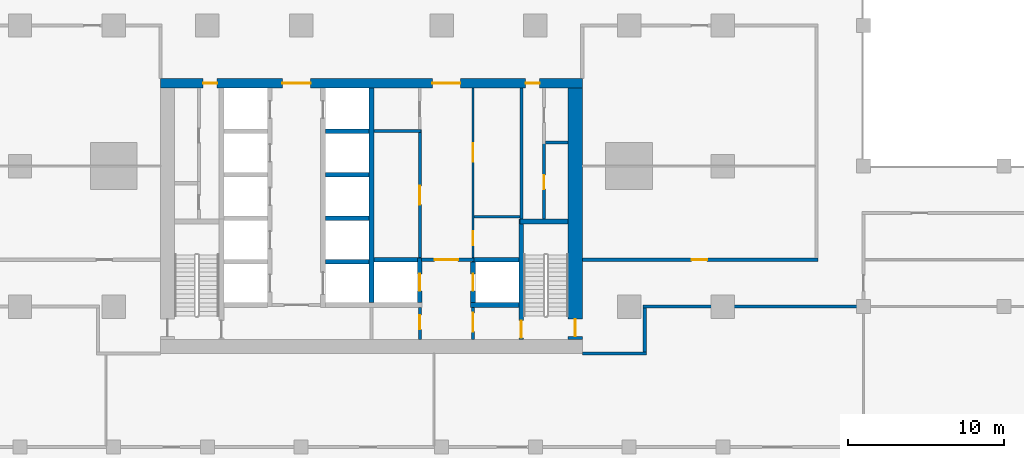
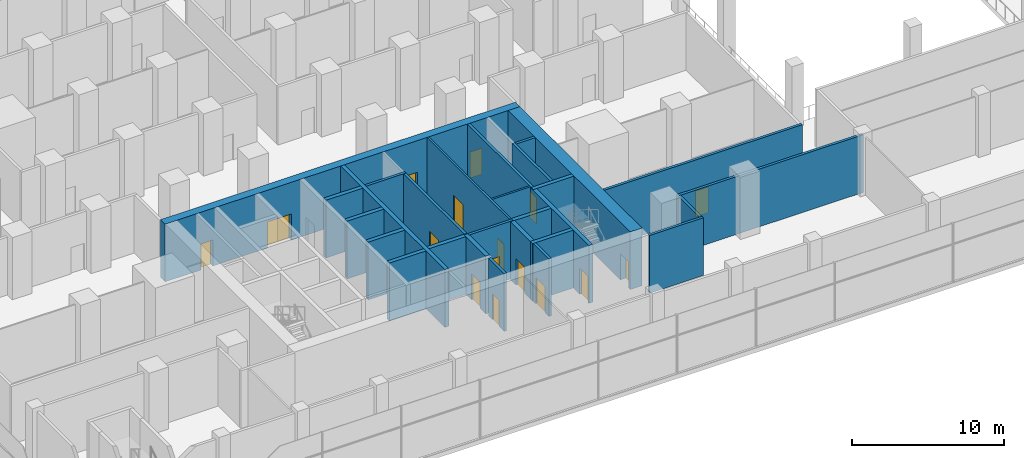
# One storey, part 14 of 22: 28 walls, 16 doors, 16 openings.
"""IFC4 building model written with IfcOpenShell, lengths in metres."""

from ifc_helpers import new_model, si_unit, direction, frame, frame_2d, origin, place, context, subcontext, project, spatial, rectangle, extrude, material, layer, layer_set, type_object, element, fill, save


model = new_model("IFC4")

# Units and contexts
model_context = context("Model", 3, precision=1e-05, world=origin(), true_north=direction((0.0, 1.0)))
body_context = subcontext(model_context, "Body", "Model", "MODEL_VIEW")
ifc_project = project(units=[si_unit("LENGTHUNIT", "METRE"), si_unit("AREAUNIT", "SQUARE_METRE"), si_unit("VOLUMEUNIT", "CUBIC_METRE"), si_unit("PLANEANGLEUNIT", "RADIAN"), si_unit("MASSUNIT", "GRAM", prefix="KILO")], contexts=[model_context])

# Site, building, storey
site_placement = place(None, origin())
site = spatial("IfcSite", under=ifc_project, at=site_placement, CompositionType="ELEMENT")
building_placement = place(site_placement, origin())
building = spatial("IfcBuilding", under=site, at=building_placement, Name="Finial Court Residences", CompositionType="ELEMENT")
storey_placement = place(building_placement, frame((0.0, 0.0, 18.5)))
storey = spatial("IfcBuildingStorey", under=building, at=storey_placement, Name="L03", CompositionType="ELEMENT", Elevation=18.5)

# Wall, openings, doors
ifc_material_1 = material(Name="Concrete C80/95", Category="concrete")
ifc_layer_1 = layer(ifc_material_1, 0.60009765625)
ifc_layer_set_1 = layer_set([ifc_layer_1], Name="Core outer wall 600 Concrete C80/95")
wall_type_1 = type_object("IfcWallType", Name="Core outer wall 600 Concrete C80/95", PredefinedType="SHEAR", material=ifc_layer_set_1)
wall_1_placement = place(storey_placement, frame((-13.5, -8.199951171875, 0.0), z_axis=(0.0, 0.0, 1.0), x_axis=(1.0, 0.0, 0.0)))
wall_1 = element("IfcWall", 1, at=wall_1_placement, inside=storey, type_object=wall_type_1, Name="Core outer wall L03-02", PredefinedType="SHEAR", context=body_context, shape_type="SweptSolid", body=[
    extrude(rectangle(XDim=27.0, YDim=0.60009765625, at=frame_2d((13.5, 0.0))), origin(), (0.0, 0.0, 1.0), 4.64990234375),
])
opening_1_placement = place(wall_1_placement, frame((7.800048828125, 0.0, 0.0)))
opening_1 = element("IfcOpeningElement", 2, at=opening_1_placement, cuts=wall_1, Name="Opening L03-C04", PredefinedType="OPENING", context=body_context, shape_type="SweptSolid", body=[
    extrude(rectangle(XDim=1.800048828125, YDim=2.10009765625, at=frame_2d((0.89990234375, 1.050048828125))), frame((0.0, 0.31005859375, 0.0), z_axis=(0.0, -1.0, 0.0), x_axis=(1.0, 0.0, 0.0)), (0.0, 0.0, 1.0), 0.6201171875),
])
opening_2_placement = place(wall_1_placement, frame((17.39990234375, 0.0, 0.0)))
opening_2 = element("IfcOpeningElement", 3, at=opening_2_placement, cuts=wall_1, Name="Opening L03-C05", PredefinedType="OPENING", context=body_context, shape_type="SweptSolid", body=[
    extrude(rectangle(XDim=1.800048828125, YDim=2.10009765625, at=frame_2d((0.89990234375, 1.050048828125))), frame((0.0, 0.31005859375, 0.0), z_axis=(0.0, -1.0, 0.0), x_axis=(1.0, 0.0, 0.0)), (0.0, 0.0, 1.0), 0.6201171875),
])
opening_3_placement = place(wall_1_placement, frame((2.72509765625, 0.0, 0.0)))
opening_3 = element("IfcOpeningElement", 4, at=opening_3_placement, cuts=wall_1, Name="Opening L03-C10", PredefinedType="OPENING", context=body_context, shape_type="SweptSolid", body=[
    extrude(rectangle(XDim=0.89990234375, YDim=2.10009765625, at=frame_2d((0.449951171875, 1.050048828125))), frame((0.0, 0.31005859375, 0.0), z_axis=(0.0, -1.0, 0.0), x_axis=(1.0, 0.0, 0.0)), (0.0, 0.0, 1.0), 0.6201171875),
])
opening_4_placement = place(wall_1_placement, frame((23.375, 0.0, 0.0)))
opening_4 = element("IfcOpeningElement", 5, at=opening_4_placement, cuts=wall_1, Name="Opening L03-C11", PredefinedType="OPENING", context=body_context, shape_type="SweptSolid", body=[
    extrude(rectangle(XDim=0.89990234375, YDim=2.10009765625, at=frame_2d((0.449951171875, 1.050048828125))), frame((0.0, 0.31005859375, 0.0), z_axis=(0.0, -1.0, 0.0), x_axis=(1.0, 0.0, 0.0)), (0.0, 0.0, 1.0), 0.6201171875),
])
ifc_material_2 = material(Name="Steel fire door", Category="steel")
door_type_1 = type_object("IfcDoorType", Name="Lift lobby door 1800 x 2100 EI 60", OperationType="DOUBLE_DOOR_SINGLE_SWING", PredefinedType="DOOR", material=ifc_material_2)
door_1_placement = place(opening_1_placement, origin())
door_1 = element("IfcDoor", 6, at=door_1_placement, inside=storey, type_object=door_type_1, Name="Lift lobby door L03-C04", OperationType="DOUBLE_DOOR_SINGLE_SWING", OverallHeight=2.10009765625, OverallWidth=1.800048828125, PredefinedType="DOOR", context=body_context, shape_type="SweptSolid", body=[
    extrude(rectangle(XDim=1.800048828125, YDim=2.10009765625, at=frame_2d((0.89990234375, 1.050048828125))), frame((0.0, 0.02490234375, 0.0), z_axis=(0.0, -1.0, 0.0), x_axis=(1.0, 0.0, 0.0)), (0.0, 0.0, 1.0), 0.050048828125),
])
fill(opening_1, door_1)
door_2_placement = place(opening_2_placement, origin())
door_2 = element("IfcDoor", 7, at=door_2_placement, inside=storey, type_object=door_type_1, Name="Lift lobby door L03-C05", OperationType="DOUBLE_DOOR_SINGLE_SWING", OverallHeight=2.10009765625, OverallWidth=1.800048828125, PredefinedType="DOOR", context=body_context, shape_type="SweptSolid", body=[
    extrude(rectangle(XDim=1.800048828125, YDim=2.10009765625, at=frame_2d((0.89990234375, 1.050048828125))), frame((0.0, 0.02490234375, 0.0), z_axis=(0.0, -1.0, 0.0), x_axis=(1.0, 0.0, 0.0)), (0.0, 0.0, 1.0), 0.050048828125),
])
fill(opening_2, door_2)
door_type_2 = type_object("IfcDoorType", Name="Riser room door 900 x 2100 EI 90", OperationType="NOTDEFINED", PredefinedType="DOOR", material=ifc_material_2)
door_3_placement = place(opening_3_placement, origin())
door_3 = element("IfcDoor", 8, at=door_3_placement, inside=storey, type_object=door_type_2, Name="Riser room door L03-C10", OperationType="SINGLE_SWING_RIGHT", OverallHeight=2.10009765625, OverallWidth=0.89990234375, PredefinedType="DOOR", context=body_context, shape_type="SweptSolid", body=[
    extrude(rectangle(XDim=0.89990234375, YDim=2.10009765625, at=frame_2d((0.449951171875, 1.050048828125))), frame((0.0, 0.02490234375, 0.0), z_axis=(0.0, -1.0, 0.0), x_axis=(1.0, 0.0, 0.0)), (0.0, 0.0, 1.0), 0.050048828125),
])
fill(opening_3, door_3)
door_4_placement = place(opening_4_placement, origin())
door_4 = element("IfcDoor", 9, at=door_4_placement, inside=storey, type_object=door_type_2, Name="Riser room door L03-C11", OperationType="SINGLE_SWING_LEFT", OverallHeight=2.10009765625, OverallWidth=0.89990234375, PredefinedType="DOOR", context=body_context, shape_type="SweptSolid", body=[
    extrude(rectangle(XDim=0.89990234375, YDim=2.10009765625, at=frame_2d((0.449951171875, 1.050048828125))), frame((0.0, 0.02490234375, 0.0), z_axis=(0.0, -1.0, 0.0), x_axis=(1.0, 0.0, 0.0)), (0.0, 0.0, 1.0), 0.050048828125),
])
fill(opening_4, door_4)

# Wall, opening, door
ifc_layer_2 = layer(ifc_material_1, 0.89990234375)
ifc_layer_set_2 = layer_set([ifc_layer_2], Name="Core outer wall 900 Concrete C80/95")
wall_type_2 = type_object("IfcWallType", Name="Core outer wall 900 Concrete C80/95", PredefinedType="SHEAR", material=ifc_layer_set_2)
wall_2_placement = place(storey_placement, frame((13.050048828125, -24.60009765625, 0.0), z_axis=(0.0, 0.0, 1.0), x_axis=(0.0, 1.0, 0.0)))
wall_2 = element("IfcWall", 10, at=wall_2_placement, inside=storey, type_object=wall_type_2, Name="Core outer wall L03-04", PredefinedType="SHEAR", context=body_context, shape_type="SweptSolid", body=[
    extrude(rectangle(XDim=16.10009765625, YDim=0.89990234375, at=frame_2d((8.050048828125, 0.0))), origin(), (0.0, 0.0, 1.0), 4.64990234375),
])
opening_5_placement = place(wall_2_placement, frame((0.199951171875, 0.0, 0.0)))
opening_5 = element("IfcOpeningElement", 11, at=opening_5_placement, cuts=wall_2, Name="Opening L03-C20", PredefinedType="OPENING", context=body_context, shape_type="SweptSolid", body=[
    extrude(rectangle(XDim=1.10009765625, YDim=2.10009765625, at=frame_2d((0.550048828125, 1.050048828125))), frame((0.0, 0.4599609375, 0.0), z_axis=(0.0, -1.0, 0.0), x_axis=(1.0, 0.0, 0.0)), (0.0, 0.0, 1.0), 0.919921875),
])
door_type_3 = type_object("IfcDoorType", Name="Stair door 1100 x 2100 EI 90", OperationType="NOTDEFINED", PredefinedType="DOOR", material=ifc_material_2)
door_5_placement = place(opening_5_placement, origin())
door_5 = element("IfcDoor", 12, at=door_5_placement, inside=storey, type_object=door_type_3, Name="Stair door L03-C20", OperationType="SINGLE_SWING_LEFT", OverallHeight=2.10009765625, OverallWidth=1.10009765625, PredefinedType="DOOR", context=body_context, shape_type="SweptSolid", body=[
    extrude(rectangle(XDim=1.10009765625, YDim=2.10009765625, at=frame_2d((0.550048828125, 1.050048828125))), frame((0.0, 0.02490234375, 0.0), z_axis=(0.0, -1.0, 0.0), x_axis=(1.0, 0.0, 0.0)), (0.0, 0.0, 1.0), 0.050048828125),
])
fill(opening_5, door_5)

# Wall
ifc_material_3 = material(Name="Fire-rated gypsum board partition")
ifc_layer_3 = layer(ifc_material_3, 0.14990234375)
ifc_layer_set_3 = layer_set([ifc_layer_3], Name="Core room partition 150 EI 60")
wall_type_3 = type_object("IfcWallType", Name="Core room partition 150 EI 60", PredefinedType="PARTITIONING", material=ifc_layer_set_3)
wall_3_placement = place(storey_placement, frame((6.574951171875, -16.75, 0.0), z_axis=(0.0, 0.0, 1.0), x_axis=(1.0, 0.0, 0.0)))
element("IfcWall", 13, at=wall_3_placement, inside=storey, type_object=wall_type_3, Name="Core partition L03-14", PredefinedType="PARTITIONING", context=body_context, shape_type="SweptSolid", body=[
    extrude(rectangle(XDim=2.925048828125, YDim=0.14990234375, at=frame_2d((1.46240234375, 0.0))), origin(), (0.0, 0.0, 1.0), 4.64990234375),
])

# Wall, openings, doors
wall_4_placement = place(storey_placement, frame((6.5, -8.5, 0.0), z_axis=(0.0, 0.0, 1.0), x_axis=(0.0, -1.0, 0.0)))
wall_4 = element("IfcWall", 14, at=wall_4_placement, inside=storey, type_object=wall_type_3, Name="Core partition L03-36", PredefinedType="PARTITIONING", context=body_context, shape_type="SweptSolid", body=[
    extrude(rectangle(XDim=10.85009765625, YDim=0.14990234375, at=frame_2d((5.425048828125, 0.0))), origin(), (0.0, 0.0, 1.0), 4.64990234375),
])
opening_6_placement = place(wall_4_placement, frame((9.175048828125, 0.0, 0.0)))
opening_6 = element("IfcOpeningElement", 15, at=opening_6_placement, cuts=wall_4, Name="Opening L03-C15", PredefinedType="OPENING", context=body_context, shape_type="SweptSolid", body=[
    extrude(rectangle(XDim=0.89990234375, YDim=2.10009765625, at=frame_2d((0.449951171875, 1.050048828125))), frame((0.0, 0.0849609375, 0.0), z_axis=(0.0, -1.0, 0.0), x_axis=(1.0, 0.0, 0.0)), (0.0, 0.0, 1.0), 0.169921875),
])
opening_7_placement = place(wall_4_placement, frame((3.52490234375, 0.0, 0.0)))
opening_7 = element("IfcOpeningElement", 16, at=opening_7_placement, cuts=wall_4, Name="Opening L03-C16", PredefinedType="OPENING", context=body_context, shape_type="SweptSolid", body=[
    extrude(rectangle(XDim=1.199951171875, YDim=2.10009765625, at=frame_2d((0.60009765625, 1.050048828125))), frame((0.0, 0.0849609375, 0.0), z_axis=(0.0, -1.0, 0.0), x_axis=(1.0, 0.0, 0.0)), (0.0, 0.0, 1.0), 0.169921875),
])
door_type_4 = type_object("IfcDoorType", Name="Core room door 1200 x 2100 EI 60", OperationType="NOTDEFINED", PredefinedType="DOOR", material=ifc_material_2)
door_6_placement = place(opening_7_placement, origin())
door_6 = element("IfcDoor", 17, at=door_6_placement, inside=storey, type_object=door_type_4, Name="Core room door L03-C16", OperationType="SINGLE_SWING_RIGHT", OverallHeight=2.10009765625, OverallWidth=1.199951171875, PredefinedType="DOOR", context=body_context, shape_type="SweptSolid", body=[
    extrude(rectangle(XDim=1.199951171875, YDim=2.10009765625, at=frame_2d((0.60009765625, 1.050048828125))), frame((0.0, 0.02490234375, 0.0), z_axis=(0.0, -1.0, 0.0), x_axis=(1.0, 0.0, 0.0)), (0.0, 0.0, 1.0), 0.050048828125),
])
fill(opening_7, door_6)
door_type_5 = type_object("IfcDoorType", Name="Core room door 900 x 2100 EI 60", OperationType="NOTDEFINED", PredefinedType="DOOR", material=ifc_material_2)
door_7_placement = place(opening_6_placement, origin())
door_7 = element("IfcDoor", 18, at=door_7_placement, inside=storey, type_object=door_type_5, Name="Core room door L03-C15", OperationType="SINGLE_SWING_RIGHT", OverallHeight=2.10009765625, OverallWidth=0.89990234375, PredefinedType="DOOR", context=body_context, shape_type="SweptSolid", body=[
    extrude(rectangle(XDim=0.89990234375, YDim=2.10009765625, at=frame_2d((0.449951171875, 1.050048828125))), frame((0.0, 0.02490234375, 0.0), z_axis=(0.0, -1.0, 0.0), x_axis=(1.0, 0.0, 0.0)), (0.0, 0.0, 1.0), 0.050048828125),
])
fill(opening_6, door_7)

# Walls
ifc_material_4 = material(Name="Gypsum board")
ifc_layer_4 = layer(ifc_material_4, 0.02490234375)
ifc_material_5 = material(Name="Acoustic mineral wool in double frame")
ifc_layer_5 = layer(ifc_material_5, 0.14990234375)
ifc_layer_6 = layer(ifc_material_4, 0.02490234375)
ifc_layer_set_4 = layer_set([ifc_layer_4, ifc_layer_5, ifc_layer_6], Name="Corridor wall 200, 1 hour")
wall_type_4 = type_object("IfcWallType", Name="Corridor wall 200, 1 hour", PredefinedType="PARTITIONING", material=ifc_layer_set_4)
wall_5_placement = place(storey_placement, frame((13.5, -25.5, 0.0), z_axis=(0.0, 0.0, 1.0), x_axis=(1.0, 0.0, 0.0)))
element("IfcWall", 19, at=wall_5_placement, inside=storey, type_object=wall_type_4, Name="Partition L03-004", PredefinedType="PARTITIONING", context=body_context, shape_type="SweptSolid", body=[
    extrude(rectangle(XDim=4.10009765625, YDim=0.199951171875, at=frame_2d((2.050048828125, 0.0))), origin(), (0.0, 0.0, 1.0), 4.64990234375),
])
wall_6_placement = place(storey_placement, frame((17.39990234375, -22.5, 0.0), z_axis=(0.0, 0.0, 1.0), x_axis=(1.0, 0.0, 0.0)))
element("IfcWall", 20, at=wall_6_placement, inside=storey, type_object=wall_type_4, Name="Partition L03-006", PredefinedType="PARTITIONING", context=body_context, shape_type="SweptSolid", body=[
    extrude(rectangle(XDim=14.10009765625, YDim=0.199951171875, at=frame_2d((7.050048828125, 0.0))), origin(), (0.0, 0.0, 1.0), 4.64990234375),
])

# Wall, opening, door
wall_7_placement = place(storey_placement, frame((13.5, -19.5, 0.0), z_axis=(0.0, 0.0, 1.0), x_axis=(1.0, 0.0, 0.0)))
wall_7 = element("IfcWall", 21, at=wall_7_placement, inside=storey, type_object=wall_type_4, Name="Partition L03-009", PredefinedType="PARTITIONING", context=body_context, shape_type="SweptSolid", body=[
    extrude(rectangle(XDim=15.10009765625, YDim=0.199951171875, at=frame_2d((7.550048828125, 0.0))), origin(), (0.0, 0.0, 1.0), 4.64990234375),
])
opening_8_placement = place(wall_7_placement, frame((7.0, 0.0, 0.0)))
opening_8 = element("IfcOpeningElement", 22, at=opening_8_placement, cuts=wall_7, Name="Opening L03-D010", PredefinedType="OPENING", context=body_context, shape_type="SweptSolid", body=[
    extrude(rectangle(XDim=1.0, YDim=2.10009765625, at=frame_2d((0.5, 1.050048828125))), frame((0.0, 0.10986328125, 0.0), z_axis=(0.0, -1.0, 0.0), x_axis=(1.0, 0.0, 0.0)), (0.0, 0.0, 1.0), 0.219970703125),
])
ifc_material_6 = material(Name="Timber door leaf in hollow metal frame", Category="wood")
door_type_6 = type_object("IfcDoorType", Name="Fire door set 1000 x 2100, 30 minutes", OperationType="SINGLE_SWING_LEFT", PredefinedType="DOOR", material=ifc_material_6)
door_8_placement = place(opening_8_placement, origin())
door_8 = element("IfcDoor", 23, at=door_8_placement, inside=storey, type_object=door_type_6, Name="Door L03-D010", OperationType="SINGLE_SWING_LEFT", OverallHeight=2.10009765625, OverallWidth=1.0, PredefinedType="DOOR", context=body_context, shape_type="SweptSolid", body=[
    extrude(rectangle(XDim=1.0, YDim=2.10009765625, at=frame_2d((0.5, 1.050048828125))), frame((0.0, 0.02490234375, 0.0), z_axis=(0.0, -1.0, 0.0), x_axis=(1.0, 0.0, 0.0)), (0.0, 0.0, 1.0), 0.050048828125),
])
fill(opening_8, door_8)

# Wall
wall_8_placement = place(storey_placement, frame((17.5, -25.39990234375, 0.0), z_axis=(0.0, 0.0, 1.0), x_axis=(0.0, 1.0, 0.0)))
element("IfcWall", 24, at=wall_8_placement, inside=storey, type_object=wall_type_4, Name="Partition L03-058", PredefinedType="PARTITIONING", context=body_context, shape_type="SweptSolid", body=[
    extrude(rectangle(XDim=2.7998046875, YDim=0.199951171875, at=frame_2d((1.39990234375, 0.0))), origin(), (0.0, 0.0, 1.0), 4.64990234375),
])

# Wall, opening, door
ifc_layer_7 = layer(ifc_material_3, 0.199951171875)
ifc_layer_set_5 = layer_set([ifc_layer_7], Name="Firefighting lobby wall 200 EI 120")
wall_type_5 = type_object("IfcWallType", Name="Firefighting lobby wall 200 EI 120", PredefinedType="PARTITIONING", material=ifc_layer_set_5)
wall_9_placement = place(storey_placement, frame((6.574951171875, -19.5, 0.0), z_axis=(0.0, 0.0, 1.0), x_axis=(-1.0, 0.0, 0.0)))
wall_9 = element("IfcWall", 25, at=wall_9_placement, inside=storey, type_object=wall_type_5, Name="Core partition L03-08", PredefinedType="PARTITIONING", context=body_context, shape_type="SweptSolid", body=[
    extrude(rectangle(XDim=3.375, YDim=0.199951171875, at=frame_2d((1.6875, 0.0))), origin(), (0.0, 0.0, 1.0), 4.64990234375),
])
opening_9_placement = place(wall_9_placement, frame((1.02490234375, 0.0, 0.0)))
opening_9 = element("IfcOpeningElement", 26, at=opening_9_placement, cuts=wall_9, Name="Opening L03-C02", PredefinedType="OPENING", context=body_context, shape_type="SweptSolid", body=[
    extrude(rectangle(XDim=1.5, YDim=2.10009765625, at=frame_2d((0.75, 1.050048828125))), frame((0.0, 0.10986328125, 0.0), z_axis=(0.0, -1.0, 0.0), x_axis=(1.0, 0.0, 0.0)), (0.0, 0.0, 1.0), 0.219970703125),
])
door_type_7 = type_object("IfcDoorType", Name="Firefighting lobby door 1500 x 2100 EI 90", OperationType="DOUBLE_DOOR_SINGLE_SWING", PredefinedType="DOOR", material=ifc_material_2)
door_9_placement = place(opening_9_placement, origin())
door_9 = element("IfcDoor", 27, at=door_9_placement, inside=storey, type_object=door_type_7, Name="Firefighting lobby door L03-C02", OperationType="DOUBLE_DOOR_SINGLE_SWING", OverallHeight=2.10009765625, OverallWidth=1.5, PredefinedType="DOOR", context=body_context, shape_type="SweptSolid", body=[
    extrude(rectangle(XDim=1.5, YDim=2.10009765625, at=frame_2d((0.75, 1.050048828125))), frame((0.0, 0.02490234375, 0.0), z_axis=(0.0, -1.0, 0.0), x_axis=(1.0, 0.0, 0.0)), (0.0, 0.0, 1.0), 0.050048828125),
])
fill(opening_9, door_9)

wall_10_placement = place(storey_placement, frame((3.10009765625, -24.60009765625, 0.0), z_axis=(0.0, 0.0, 1.0), x_axis=(0.0, 1.0, 0.0)))
wall_10 = element("IfcWall", 28, at=wall_10_placement, inside=storey, type_object=wall_type_5, Name="Core partition L03-30", PredefinedType="PARTITIONING", context=body_context, shape_type="SweptSolid", body=[
    extrude(rectangle(XDim=2.050048828125, YDim=0.199951171875, at=frame_2d((1.02490234375, 0.0))), origin(), (0.0, 0.0, 1.0), 4.64990234375),
])
opening_10_placement = place(wall_10_placement, frame((0.64990234375, 0.0, 0.0)))
opening_10 = element("IfcOpeningElement", 29, at=opening_10_placement, cuts=wall_10, Name="Opening L03-C06", PredefinedType="OPENING", context=body_context, shape_type="SweptSolid", body=[
    extrude(rectangle(XDim=0.89990234375, YDim=2.10009765625, at=frame_2d((0.449951171875, 1.050048828125))), frame((0.0, 0.10986328125, 0.0), z_axis=(0.0, -1.0, 0.0), x_axis=(1.0, 0.0, 0.0)), (0.0, 0.0, 1.0), 0.219970703125),
])
door_10_placement = place(opening_10_placement, origin())
door_10 = element("IfcDoor", 30, at=door_10_placement, inside=storey, type_object=door_type_2, Name="Riser room door L03-C06", OperationType="SINGLE_SWING_LEFT", OverallHeight=2.10009765625, OverallWidth=0.89990234375, PredefinedType="DOOR", context=body_context, shape_type="SweptSolid", body=[
    extrude(rectangle(XDim=0.89990234375, YDim=2.10009765625, at=frame_2d((0.449951171875, 1.050048828125))), frame((0.0, 0.02490234375, 0.0), z_axis=(0.0, -1.0, 0.0), x_axis=(1.0, 0.0, 0.0)), (0.0, 0.0, 1.0), 0.050048828125),
])
fill(opening_10, door_10)

wall_11_placement = place(storey_placement, frame((6.5, -22.550048828125, 0.0), z_axis=(0.0, 0.0, 1.0), x_axis=(0.0, -1.0, 0.0)))
wall_11 = element("IfcWall", 31, at=wall_11_placement, inside=storey, type_object=wall_type_5, Name="Core partition L03-34", PredefinedType="PARTITIONING", context=body_context, shape_type="SweptSolid", body=[
    extrude(rectangle(XDim=2.050048828125, YDim=0.199951171875, at=frame_2d((1.02490234375, 0.0))), origin(), (0.0, 0.0, 1.0), 4.64990234375),
])
opening_11_placement = place(wall_11_placement, frame((0.35009765625, 0.0, 0.0)))
opening_11 = element("IfcOpeningElement", 32, at=opening_11_placement, cuts=wall_11, Name="Opening L03-C01", PredefinedType="OPENING", context=body_context, shape_type="SweptSolid", body=[
    extrude(rectangle(XDim=1.199951171875, YDim=2.10009765625, at=frame_2d((0.60009765625, 1.050048828125))), frame((0.0, 0.10986328125, 0.0), z_axis=(0.0, -1.0, 0.0), x_axis=(1.0, 0.0, 0.0)), (0.0, 0.0, 1.0), 0.219970703125),
])
door_type_8 = type_object("IfcDoorType", Name="Firefighting lobby door 1200 x 2100 EI 90", OperationType="NOTDEFINED", PredefinedType="DOOR", material=ifc_material_2)
door_11_placement = place(opening_11_placement, origin())
door_11 = element("IfcDoor", 33, at=door_11_placement, inside=storey, type_object=door_type_8, Name="Firefighting lobby door L03-C01", OperationType="SINGLE_SWING_RIGHT", OverallHeight=2.10009765625, OverallWidth=1.199951171875, PredefinedType="DOOR", context=body_context, shape_type="SweptSolid", body=[
    extrude(rectangle(XDim=1.199951171875, YDim=2.10009765625, at=frame_2d((0.60009765625, 1.050048828125))), frame((0.0, 0.02490234375, 0.0), z_axis=(0.0, -1.0, 0.0), x_axis=(1.0, 0.0, 0.0)), (0.0, 0.0, 1.0), 0.050048828125),
])
fill(opening_11, door_11)

# Walls
ifc_layer_8 = layer(ifc_material_1, 0.300048828125)
ifc_layer_set_6 = layer_set([ifc_layer_8], Name="Lift shaft and stair wall 300 Concrete C80/95")
wall_type_6 = type_object("IfcWallType", Name="Lift shaft and stair wall 300 Concrete C80/95", PredefinedType="SHEAR", material=ifc_layer_set_6)
wall_12_placement = place(storey_placement, frame((6.35009765625, -22.39990234375, 0.0), z_axis=(0.0, 0.0, 1.0), x_axis=(1.0, 0.0, 0.0)))
element("IfcWall", 34, at=wall_12_placement, inside=storey, type_object=wall_type_6, Name="Core wall L03-04", PredefinedType="SHEAR", context=body_context, shape_type="SweptSolid", body=[
    extrude(rectangle(XDim=3.099853515625, YDim=0.300048828125, at=frame_2d((1.5498046875, 0.0))), origin(), (0.0, 0.0, 1.0), 4.64990234375),
])
wall_13_placement = place(storey_placement, frame((-2.949951171875, -19.6201171875, 0.0), z_axis=(0.0, 0.0, 1.0), x_axis=(1.0, 0.0, 0.0)))
element("IfcWall", 35, at=wall_13_placement, inside=storey, type_object=wall_type_6, Name="Core wall L03-06", PredefinedType="SHEAR", context=body_context, shape_type="SweptSolid", body=[
    extrude(rectangle(XDim=2.800048828125, YDim=0.300048828125, at=frame_2d((1.39990234375, 0.0))), origin(), (0.0, 0.0, 1.0), 4.64990234375),
])
wall_14_placement = place(storey_placement, frame((0.14990234375, -19.5, 0.0), z_axis=(0.0, 0.0, 1.0), x_axis=(1.0, 0.0, 0.0)))
element("IfcWall", 36, at=wall_14_placement, inside=storey, type_object=wall_type_6, Name="Core wall L03-07", PredefinedType="SHEAR", context=body_context, shape_type="SweptSolid", body=[
    extrude(rectangle(XDim=3.050048828125, YDim=0.300048828125, at=frame_2d((1.52490234375, 0.0))), origin(), (0.0, 0.0, 1.0), 4.64990234375),
])
wall_15_placement = place(storey_placement, frame((6.425048828125, -19.5, 0.0), z_axis=(0.0, 0.0, 1.0), x_axis=(1.0, 0.0, 0.0)))
element("IfcWall", 37, at=wall_15_placement, inside=storey, type_object=wall_type_6, Name="Core wall L03-09", PredefinedType="SHEAR", context=body_context, shape_type="SweptSolid", body=[
    extrude(rectangle(XDim=3.02490234375, YDim=0.300048828125, at=frame_2d((1.512451171875, 0.0))), origin(), (0.0, 0.0, 1.0), 4.64990234375),
])
wall_16_placement = place(storey_placement, frame((9.5, -17.050048828125, 0.0), z_axis=(0.0, 0.0, 1.0), x_axis=(1.0, 0.0, 0.0)))
element("IfcWall", 38, at=wall_16_placement, inside=storey, type_object=wall_type_6, Name="Core wall L03-11", PredefinedType="SHEAR", context=body_context, shape_type="SweptSolid", body=[
    extrude(rectangle(XDim=3.10009765625, YDim=0.300048828125, at=frame_2d((1.550048828125, 0.0))), origin(), (0.0, 0.0, 1.0), 4.64990234375),
])
for number, where, z_axis, x_axis, name in (
    (39, (-2.949951171875, -16.840087890625, 0.0), (0.0, 0.0, 1.0), (1.0, 0.0, 0.0), "Core wall L03-13"),
    (40, (-2.949951171875, -14.06005859375, 0.0), (0.0, 0.0, 1.0), (1.0, 0.0, 0.0), "Core wall L03-17"),
    (41, (-2.949951171875, -11.280029296875, 0.0), (0.0, 0.0, 1.0), (1.0, 0.0, 0.0), "Core wall L03-20"),
):
    element("IfcWall", number, at=place(storey_placement, frame(where, z_axis=z_axis, x_axis=x_axis)), inside=storey, type_object=wall_type_6, Name=name, PredefinedType="SHEAR", context=body_context, shape_type="SweptSolid", body=[
        extrude(rectangle(XDim=2.800048828125, YDim=0.300048828125, at=frame_2d((1.39990234375, 0.0))), origin(), (0.0, 0.0, 1.0), 4.64990234375),
    ])
wall_17_placement = place(storey_placement, frame((0.0, -22.25, 0.0), z_axis=(0.0, 0.0, 1.0), x_axis=(0.0, 1.0, 0.0)))
element("IfcWall", 42, at=wall_17_placement, inside=storey, type_object=wall_type_6, Name="Core wall L03-29", PredefinedType="SHEAR", context=body_context, shape_type="SweptSolid", body=[
    extrude(rectangle(XDim=13.75, YDim=0.300048828125, at=frame_2d((6.875, 0.0))), origin(), (0.0, 0.0, 1.0), 4.64990234375),
])

# Wall, opening, door
wall_18_placement = place(storey_placement, frame((3.10009765625, -22.25, 0.0), z_axis=(0.0, 0.0, 1.0), x_axis=(0.0, 1.0, 0.0)))
wall_18 = element("IfcWall", 43, at=wall_18_placement, inside=storey, type_object=wall_type_6, Name="Core wall L03-31", PredefinedType="SHEAR", context=body_context, shape_type="SweptSolid", body=[
    extrude(rectangle(XDim=2.85009765625, YDim=0.300048828125, at=frame_2d((1.425048828125, 0.0))), origin(), (0.0, 0.0, 1.0), 4.64990234375),
])
opening_12_placement = place(wall_18_placement, frame((0.75, 0.0, 0.0)))
opening_12 = element("IfcOpeningElement", 44, at=opening_12_placement, cuts=wall_18, Name="Opening L03-LD01", PredefinedType="OPENING", context=body_context, shape_type="SweptSolid", body=[
    extrude(rectangle(XDim=1.10009765625, YDim=2.10009765625, at=frame_2d((0.550048828125, 1.050048828125))), frame((0.0, 0.159912109375, 0.0), z_axis=(0.0, -1.0, 0.0), x_axis=(1.0, 0.0, 0.0)), (0.0, 0.0, 1.0), 0.320068359375),
])
ifc_material_7 = material(Name="Stainless steel lift door", Category="steel")
door_type_9 = type_object("IfcDoorType", Name="Lift landing door 1100 x 2100 EI 90", OperationType="DOUBLE_DOOR_SLIDING", PredefinedType="DOOR", material=ifc_material_7)
door_12_placement = place(opening_12_placement, origin())
door_12 = element("IfcDoor", 45, at=door_12_placement, inside=storey, type_object=door_type_9, Name="Lift landing door FF1 L03", OperationType="DOUBLE_DOOR_SLIDING", OverallHeight=2.10009765625, OverallWidth=1.10009765625, PredefinedType="DOOR", context=body_context, shape_type="SweptSolid", body=[
    extrude(rectangle(XDim=1.10009765625, YDim=2.10009765625, at=frame_2d((0.550048828125, 1.050048828125))), frame((0.0, 0.02490234375, 0.0), z_axis=(0.0, -1.0, 0.0), x_axis=(1.0, 0.0, 0.0)), (0.0, 0.0, 1.0), 0.050048828125),
])
fill(opening_12, door_12)

wall_19_placement = place(storey_placement, frame((6.5, -22.25, 0.0), z_axis=(0.0, 0.0, 1.0), x_axis=(0.0, 1.0, 0.0)))
wall_19 = element("IfcWall", 46, at=wall_19_placement, inside=storey, type_object=wall_type_6, Name="Core wall L03-35", PredefinedType="SHEAR", context=body_context, shape_type="SweptSolid", body=[
    extrude(rectangle(XDim=2.60009765625, YDim=0.300048828125, at=frame_2d((1.300048828125, 0.0))), origin(), (0.0, 0.0, 1.0), 4.64990234375),
])
opening_13_placement = place(wall_19_placement, frame((0.75, 0.0, 0.0)))
opening_13 = element("IfcOpeningElement", 47, at=opening_13_placement, cuts=wall_19, Name="Opening L03-LD02", PredefinedType="OPENING", context=body_context, shape_type="SweptSolid", body=[
    extrude(rectangle(XDim=1.10009765625, YDim=2.10009765625, at=frame_2d((0.550048828125, 1.050048828125))), frame((0.0, 0.159912109375, 0.0), z_axis=(0.0, -1.0, 0.0), x_axis=(1.0, 0.0, 0.0)), (0.0, 0.0, 1.0), 0.320068359375),
])
door_13_placement = place(opening_13_placement, origin())
door_13 = element("IfcDoor", 48, at=door_13_placement, inside=storey, type_object=door_type_9, Name="Lift landing door FF2 L03", OperationType="DOUBLE_DOOR_SLIDING", OverallHeight=2.10009765625, OverallWidth=1.10009765625, PredefinedType="DOOR", context=body_context, shape_type="SweptSolid", body=[
    extrude(rectangle(XDim=1.10009765625, YDim=2.10009765625, at=frame_2d((0.550048828125, 1.050048828125))), frame((0.0, 0.02490234375, 0.0), z_axis=(0.0, -1.0, 0.0), x_axis=(1.0, 0.0, 0.0)), (0.0, 0.0, 1.0), 0.050048828125),
])
fill(opening_13, door_13)

wall_20_placement = place(storey_placement, frame((9.60009765625, -16.89990234375, 0.0), z_axis=(0.0, 0.0, 1.0), x_axis=(0.0, -1.0, 0.0)))
wall_20 = element("IfcWall", 49, at=wall_20_placement, inside=storey, type_object=wall_type_6, Name="Core wall L03-37", PredefinedType="SHEAR", context=body_context, shape_type="SweptSolid", body=[
    extrude(rectangle(XDim=7.7001953125, YDim=0.300048828125, at=frame_2d((3.85009765625, 0.0))), origin(), (0.0, 0.0, 1.0), 4.64990234375),
])
opening_14_placement = place(wall_20_placement, frame((6.5, 0.0, 0.0)))
opening_14 = element("IfcOpeningElement", 50, at=opening_14_placement, cuts=wall_20, Name="Opening L03-C18", PredefinedType="OPENING", context=body_context, shape_type="SweptSolid", body=[
    extrude(rectangle(XDim=1.10009765625, YDim=2.10009765625, at=frame_2d((0.550048828125, 1.050048828125))), frame((0.0, 0.159912109375, 0.0), z_axis=(0.0, -1.0, 0.0), x_axis=(1.0, 0.0, 0.0)), (0.0, 0.0, 1.0), 0.320068359375),
])
door_14_placement = place(opening_14_placement, origin())
door_14 = element("IfcDoor", 51, at=door_14_placement, inside=storey, type_object=door_type_3, Name="Stair door L03-C18", OperationType="SINGLE_SWING_RIGHT", OverallHeight=2.10009765625, OverallWidth=1.10009765625, PredefinedType="DOOR", context=body_context, shape_type="SweptSolid", body=[
    extrude(rectangle(XDim=1.10009765625, YDim=2.10009765625, at=frame_2d((0.550048828125, 1.050048828125))), frame((0.0, 0.02490234375, 0.0), z_axis=(0.0, -1.0, 0.0), x_axis=(1.0, 0.0, 0.0)), (0.0, 0.0, 1.0), 0.050048828125),
])
fill(opening_14, door_14)

# Walls
ifc_layer_9 = layer(ifc_material_3, 0.199951171875)
ifc_layer_set_7 = layer_set([ifc_layer_9], Name="Riser room wall 200 EI 120")
wall_type_7 = type_object("IfcWallType", Name="Riser room wall 200 EI 120", PredefinedType="PARTITIONING", material=ifc_layer_set_7)
wall_21_placement = place(storey_placement, frame((11.14990234375, -12.0, 0.0), z_axis=(0.0, 0.0, 1.0), x_axis=(1.0, 0.0, 0.0)))
element("IfcWall", 52, at=wall_21_placement, inside=storey, type_object=wall_type_7, Name="Core partition L03-18", PredefinedType="PARTITIONING", context=body_context, shape_type="SweptSolid", body=[
    extrude(rectangle(XDim=1.4501953125, YDim=0.199951171875, at=frame_2d((0.72509765625, 0.0))), origin(), (0.0, 0.0, 1.0), 4.64990234375),
])
wall_22_placement = place(storey_placement, frame((0.14990234375, -11.25, 0.0), z_axis=(0.0, 0.0, 1.0), x_axis=(1.0, 0.0, 0.0)))
element("IfcWall", 53, at=wall_22_placement, inside=storey, type_object=wall_type_7, Name="Core partition L03-21", PredefinedType="PARTITIONING", context=body_context, shape_type="SweptSolid", body=[
    extrude(rectangle(XDim=3.025146484375, YDim=0.199951171875, at=frame_2d((1.5126953125, 0.0))), origin(), (0.0, 0.0, 1.0), 4.64990234375),
])

# Wall, opening, door
wall_23_placement = place(storey_placement, frame((3.10009765625, -19.60009765625, 0.0), z_axis=(0.0, 0.0, 1.0), x_axis=(0.0, 1.0, 0.0)))
wall_23 = element("IfcWall", 54, at=wall_23_placement, inside=storey, type_object=wall_type_7, Name="Core partition L03-32", PredefinedType="PARTITIONING", context=body_context, shape_type="SweptSolid", body=[
    extrude(rectangle(XDim=8.4501953125, YDim=0.199951171875, at=frame_2d((4.22509765625, 0.0))), origin(), (0.0, 0.0, 1.0), 4.64990234375),
])
opening_15_placement = place(wall_23_placement, frame((3.625, 0.0, 0.0)))
opening_15 = element("IfcOpeningElement", 55, at=opening_15_placement, cuts=wall_23, Name="Opening L03-C09", PredefinedType="OPENING", context=body_context, shape_type="SweptSolid", body=[
    extrude(rectangle(XDim=1.199951171875, YDim=2.10009765625, at=frame_2d((0.60009765625, 1.050048828125))), frame((0.0, 0.10986328125, 0.0), z_axis=(0.0, -1.0, 0.0), x_axis=(1.0, 0.0, 0.0)), (0.0, 0.0, 1.0), 0.219970703125),
])
door_type_10 = type_object("IfcDoorType", Name="Riser room door 1200 x 2100 EI 90", OperationType="NOTDEFINED", PredefinedType="DOOR", material=ifc_material_2)
door_15_placement = place(opening_15_placement, origin())
door_15 = element("IfcDoor", 56, at=door_15_placement, inside=storey, type_object=door_type_10, Name="Riser room door L03-C09", OperationType="SINGLE_SWING_LEFT", OverallHeight=2.10009765625, OverallWidth=1.199951171875, PredefinedType="DOOR", context=body_context, shape_type="SweptSolid", body=[
    extrude(rectangle(XDim=1.199951171875, YDim=2.10009765625, at=frame_2d((0.60009765625, 1.050048828125))), frame((0.0, 0.02490234375, 0.0), z_axis=(0.0, -1.0, 0.0), x_axis=(1.0, 0.0, 0.0)), (0.0, 0.0, 1.0), 0.050048828125),
])
fill(opening_15, door_15)

# Wall
ifc_layer_10 = layer(ifc_material_3, 0.199951171875)
ifc_layer_set_8 = layer_set([ifc_layer_10], Name="Stair passage wall 200 EI 180")
wall_type_8 = type_object("IfcWallType", Name="Stair passage wall 200 EI 180", PredefinedType="PARTITIONING", material=ifc_layer_set_8)
wall_24_placement = place(storey_placement, frame((9.60009765625, -16.89990234375, 0.0), z_axis=(0.0, 0.0, 1.0), x_axis=(0.0, 1.0, 0.0)))
element("IfcWall", 57, at=wall_24_placement, inside=storey, type_object=wall_type_8, Name="Core partition L03-38", PredefinedType="PARTITIONING", context=body_context, shape_type="SweptSolid", body=[
    extrude(rectangle(XDim=8.39990234375, YDim=0.199951171875, at=frame_2d((4.199951171875, 0.0))), origin(), (0.0, 0.0, 1.0), 4.64990234375),
])

# Wall, opening, door
wall_25_placement = place(storey_placement, frame((11.050048828125, -11.89990234375, 0.0), z_axis=(0.0, 0.0, 1.0), x_axis=(0.0, -1.0, 0.0)))
wall_25 = element("IfcWall", 58, at=wall_25_placement, inside=storey, type_object=wall_type_8, Name="Core partition L03-39", PredefinedType="PARTITIONING", context=body_context, shape_type="SweptSolid", body=[
    extrude(rectangle(XDim=5.0, YDim=0.199951171875, at=frame_2d((2.5, 0.0))), origin(), (0.0, 0.0, 1.0), 4.64990234375),
])
opening_16_placement = place(wall_25_placement, frame((2.175048828125, 0.0, 0.0)))
opening_16 = element("IfcOpeningElement", 59, at=opening_16_placement, cuts=wall_25, Name="Opening L03-C13", PredefinedType="OPENING", context=body_context, shape_type="SweptSolid", body=[
    extrude(rectangle(XDim=0.89990234375, YDim=2.10009765625, at=frame_2d((0.449951171875, 1.050048828125))), frame((0.0, 0.10986328125, 0.0), z_axis=(0.0, -1.0, 0.0), x_axis=(1.0, 0.0, 0.0)), (0.0, 0.0, 1.0), 0.219970703125),
])
door_16_placement = place(opening_16_placement, origin())
door_16 = element("IfcDoor", 60, at=door_16_placement, inside=storey, type_object=door_type_5, Name="Core room door L03-C13", OperationType="SINGLE_SWING_RIGHT", OverallHeight=2.10009765625, OverallWidth=0.89990234375, PredefinedType="DOOR", context=body_context, shape_type="SweptSolid", body=[
    extrude(rectangle(XDim=0.89990234375, YDim=2.10009765625, at=frame_2d((0.449951171875, 1.050048828125))), frame((0.0, 0.02490234375, 0.0), z_axis=(0.0, -1.0, 0.0), x_axis=(1.0, 0.0, 0.0)), (0.0, 0.0, 1.0), 0.050048828125),
])
fill(opening_16, door_16)

save(model, "model.ifc")
